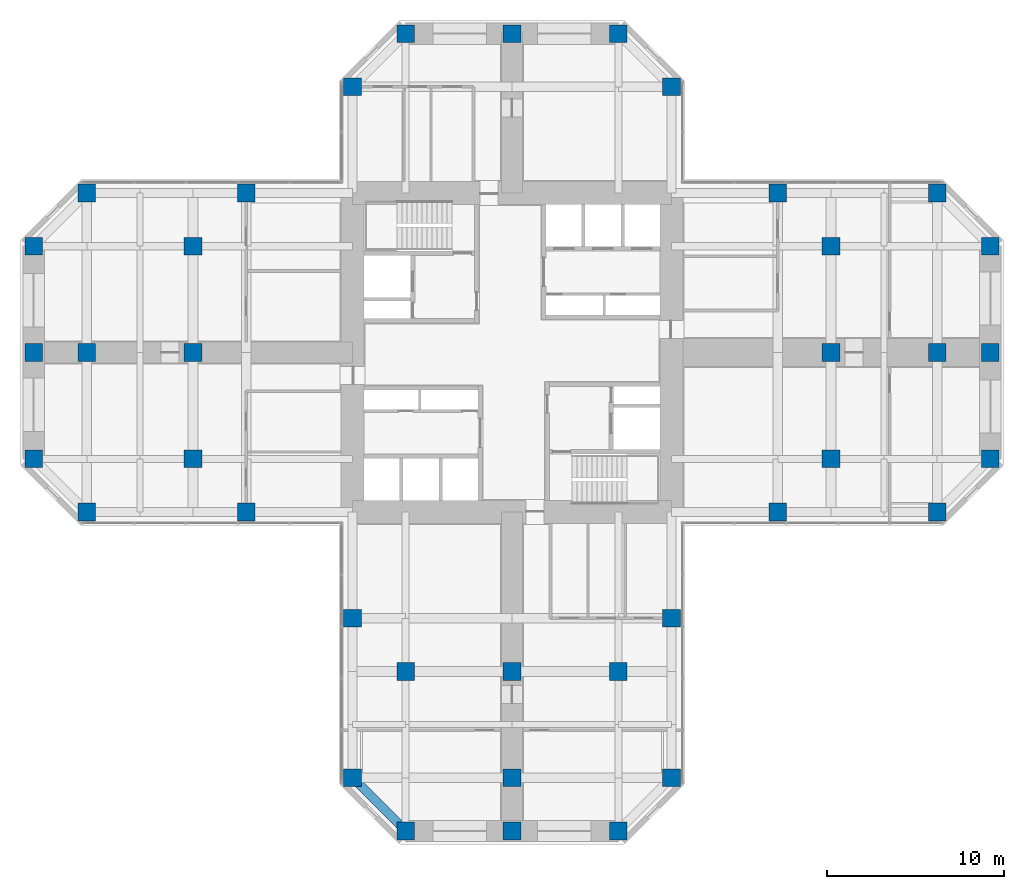
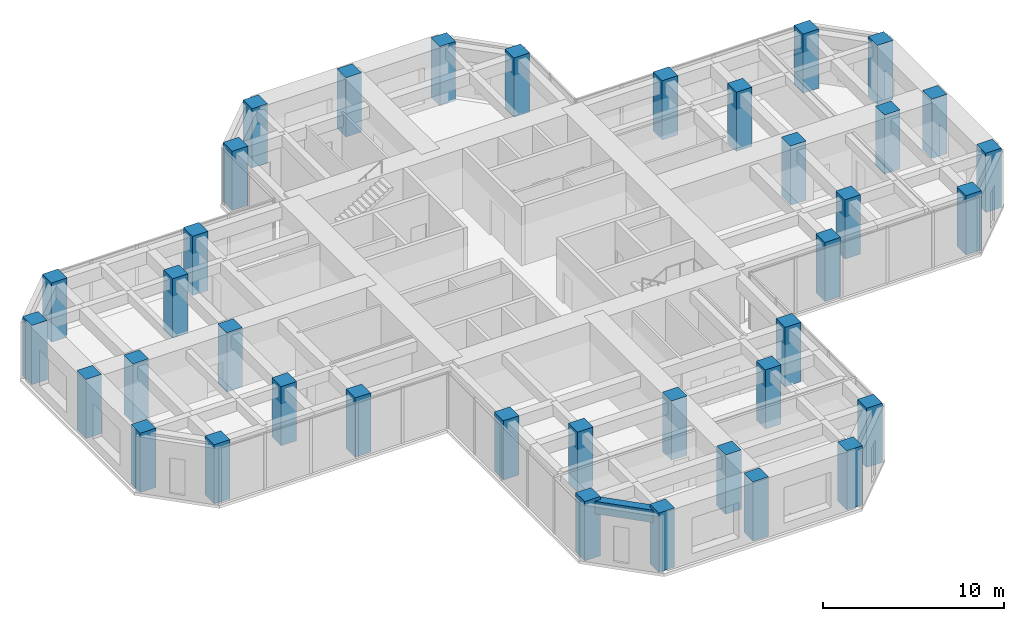
# One storey, part 1 of 12: 38 columns, 1 beam.
"""IFC4 building model written with IfcOpenShell, lengths in metres."""

from ifc_helpers import new_model, si_unit, direction, frame, origin, origin_2d, place, context, subcontext, project, spatial, rectangle, extrude, material, material_profile, profile_set, type_object, element, save


model = new_model("IFC4")

# Units and contexts
model_context = context("Model", 3, precision=1e-05, world=origin(), true_north=direction((0.0, 1.0)))
body_context = subcontext(model_context, "Body", "Model", "MODEL_VIEW")
ifc_project = project(units=[si_unit("LENGTHUNIT", "METRE"), si_unit("AREAUNIT", "SQUARE_METRE"), si_unit("VOLUMEUNIT", "CUBIC_METRE"), si_unit("PLANEANGLEUNIT", "RADIAN"), si_unit("MASSUNIT", "GRAM", prefix="KILO")], contexts=[model_context])

# Site, building, storey
site_placement = place(None, origin())
site = spatial("IfcSite", under=ifc_project, at=site_placement, CompositionType="ELEMENT")
building_placement = place(site_placement, origin())
building = spatial("IfcBuilding", under=site, at=building_placement, Name="Torre Cruceta", CompositionType="ELEMENT")
storey_placement = place(building_placement, frame((0.0, 0.0, 148.5)))
storey = spatial("IfcBuildingStorey", under=building, at=storey_placement, Name="L36", CompositionType="ELEMENT", Elevation=148.5)

# Columns
ifc_material_1 = material(Name="Concrete G60 (fck 60 MPa)", Category="concrete")
ifc_material_profile_1 = material_profile(ifc_material_1, rectangle(XDim=1.0, YDim=1.0, at=origin_2d()), Name="RC 1000X1000")
ifc_profile_set_1 = profile_set([ifc_material_profile_1], Name="Concrete G60 (fck 60 MPa)")
column_type = type_object("IfcColumnType", Name="COLUMN RC 1000X1000", PredefinedType="COLUMN", material=ifc_profile_set_1)
for number, where, z_axis, x_axis, name in (
    (1, (9.0, 15.0, 0.0), (0.0, 0.0, 1.0), (1.0, 0.0, 0.0), "C5 L36 N chamfer"),
    (2, (-9.0, 15.0, 0.0), (0.0, 0.0, 1.0), (1.0, 0.0, 0.0), "C5 L36 N chamfer"),
    (3, (6.0, 18.0, 0.0), (0.0, 0.0, 1.0), (1.0, 0.0, 0.0), "C5 L36 N tip"),
    (4, (0.0, 18.0, 0.0), (0.0, 0.0, 1.0), (1.0, 0.0, 0.0), "C5 L36 N tip"),
    (5, (-6.0, 18.0, 0.0), (0.0, 0.0, 1.0), (1.0, 0.0, 0.0), "C5 L36 N tip"),
    (6, (15.0, -9.0, 0.0), (0.0, 0.0, 1.0), (1.0, 0.0, 0.0), "C5 L36 E side"),
    (7, (24.0, -9.0, 0.0), (0.0, 0.0, 1.0), (1.0, 0.0, 0.0), "C5 L36 E chamfer"),
    (8, (15.0, 9.0, 0.0), (0.0, 0.0, 1.0), (1.0, 0.0, 0.0), "C5 L36 E side"),
    (9, (24.0, 9.0, 0.0), (0.0, 0.0, 1.0), (1.0, 0.0, 0.0), "C5 L36 E chamfer"),
    (10, (27.0, -6.0, 0.0), (0.0, 0.0, 1.0), (1.0, 0.0, 0.0), "C5 L36 E tip"),
    (11, (27.0, 0.0, 0.0), (0.0, 0.0, 1.0), (1.0, 0.0, 0.0), "C5 L36 E tip"),
    (12, (27.0, 6.0, 0.0), (0.0, 0.0, 1.0), (1.0, 0.0, 0.0), "C5 L36 E tip"),
    (13, (-9.0, -15.0, 0.0), (0.0, 0.0, 1.0), (1.0, 0.0, 0.0), "C5 L36 S side"),
    (14, (-9.0, -24.0, 0.0), (0.0, 0.0, 1.0), (1.0, 0.0, 0.0), "C5 L36 S chamfer"),
    (15, (9.0, -15.0, 0.0), (0.0, 0.0, 1.0), (1.0, 0.0, 0.0), "C5 L36 S side"),
    (16, (9.0, -24.0, 0.0), (0.0, 0.0, 1.0), (1.0, 0.0, 0.0), "C5 L36 S chamfer"),
    (17, (-6.0, -27.0, 0.0), (0.0, 0.0, 1.0), (1.0, 0.0, 0.0), "C5 L36 S tip"),
    (18, (0.0, -27.0, 0.0), (0.0, 0.0, 1.0), (1.0, 0.0, 0.0), "C5 L36 S tip"),
    (19, (6.0, -27.0, 0.0), (0.0, 0.0, 1.0), (1.0, 0.0, 0.0), "C5 L36 S tip"),
    (20, (-15.0, 9.0, 0.0), (0.0, 0.0, 1.0), (1.0, 0.0, 0.0), "C5 L36 W side"),
    (21, (-24.0, 9.0, 0.0), (0.0, 0.0, 1.0), (1.0, 0.0, 0.0), "C5 L36 W chamfer"),
    (22, (-15.0, -9.0, 0.0), (0.0, 0.0, 1.0), (1.0, 0.0, 0.0), "C5 L36 W side"),
    (23, (-24.0, -9.0, 0.0), (0.0, 0.0, 1.0), (1.0, 0.0, 0.0), "C5 L36 W chamfer"),
    (24, (-27.0, 6.0, 0.0), (0.0, 0.0, 1.0), (1.0, 0.0, 0.0), "C5 L36 W tip"),
    (25, (-27.0, 0.0, 0.0), (0.0, 0.0, 1.0), (1.0, 0.0, 0.0), "C5 L36 W tip"),
    (26, (-27.0, -6.0, 0.0), (0.0, 0.0, 1.0), (1.0, 0.0, 0.0), "C5 L36 W tip"),
    (27, (18.0, -6.0, 0.0), (0.0, 0.0, 1.0), (1.0, 0.0, 0.0), "C5 L36 E interior"),
    (28, (18.0, 0.0, 0.0), (0.0, 0.0, 1.0), (1.0, 0.0, 0.0), "C5 L36 E interior"),
    (29, (18.0, 6.0, 0.0), (0.0, 0.0, 1.0), (1.0, 0.0, 0.0), "C5 L36 E interior"),
    (30, (24.0, 0.0, 0.0), (0.0, 0.0, 1.0), (1.0, 0.0, 0.0), "C5 L36 E interior"),
    (31, (-6.0, -18.0, 0.0), (0.0, 0.0, 1.0), (1.0, 0.0, 0.0), "C5 L36 S interior"),
    (32, (0.0, -18.0, 0.0), (0.0, 0.0, 1.0), (1.0, 0.0, 0.0), "C5 L36 S interior"),
    (33, (6.0, -18.0, 0.0), (0.0, 0.0, 1.0), (1.0, 0.0, 0.0), "C5 L36 S interior"),
    (34, (0.0, -24.0, 0.0), (0.0, 0.0, 1.0), (1.0, 0.0, 0.0), "C5 L36 S interior"),
    (35, (-18.0, 6.0, 0.0), (0.0, 0.0, 1.0), (1.0, 0.0, 0.0), "C5 L36 W interior"),
    (36, (-18.0, 0.0, 0.0), (0.0, 0.0, 1.0), (1.0, 0.0, 0.0), "C5 L36 W interior"),
    (37, (-18.0, -6.0, 0.0), (0.0, 0.0, 1.0), (1.0, 0.0, 0.0), "C5 L36 W interior"),
    (38, (-24.0, 0.0, 0.0), (0.0, 0.0, 1.0), (1.0, 0.0, 0.0), "C5 L36 W interior"),
):
    element("IfcColumn", number, at=place(storey_placement, frame(where, z_axis=z_axis, x_axis=x_axis)), inside=storey, type_object=column_type, Name=name, PredefinedType="COLUMN", context=body_context, shape_type="SweptSolid", body=[
        extrude(rectangle(XDim=1.0, YDim=1.0, at=origin_2d()), origin(), (0.0, 0.0, 1.0), 4.0),
    ])

# Beam
ifc_material_2 = material(Name="Concrete G60 (fck 60 MPa)", Category="concrete")
ifc_material_profile_2 = material_profile(ifc_material_2, rectangle(XDim=0.5, YDim=0.85009765625, at=origin_2d()), Name="RC 500X850")
ifc_profile_set_2 = profile_set([ifc_material_profile_2], Name="Concrete G60 (fck 60 MPa)")
beam_type = type_object("IfcBeamType", Name="SPANDREL BEAM RC 500X850", PredefinedType="SPANDREL", material=ifc_profile_set_2)
beam_placement = place(storey_placement, frame((-9.0, -24.0, 3.375), z_axis=(0.707106781187, -0.707106781187, 0.0), x_axis=(0.707106781187, 0.707106781187, 0.0)))
element("IfcBeam", 39, at=beam_placement, inside=storey, type_object=beam_type, Name="SB5 L36 S side- 5", PredefinedType="SPANDREL", context=body_context, shape_type="SweptSolid", body=[
    extrude(rectangle(XDim=0.5, YDim=0.85009765625, at=origin_2d()), origin(), (0.0, 0.0, 1.0), 4.24267578125),
])

save(model, "model.ifc")
